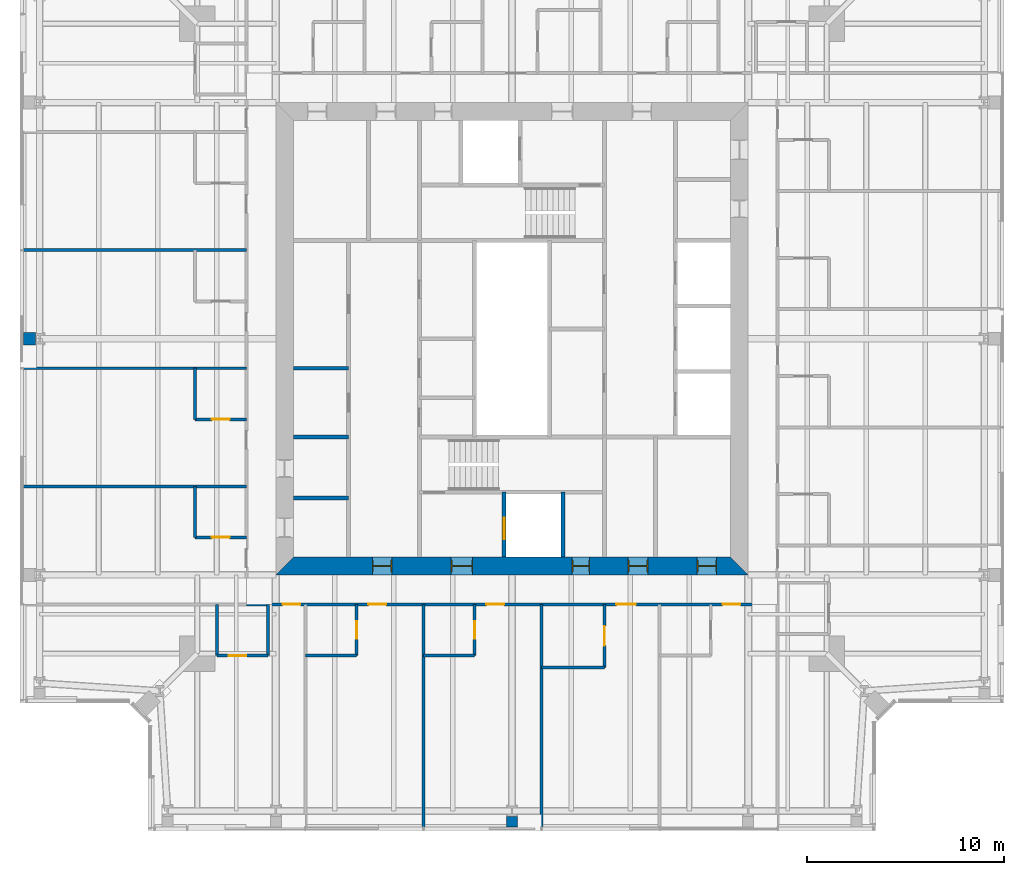
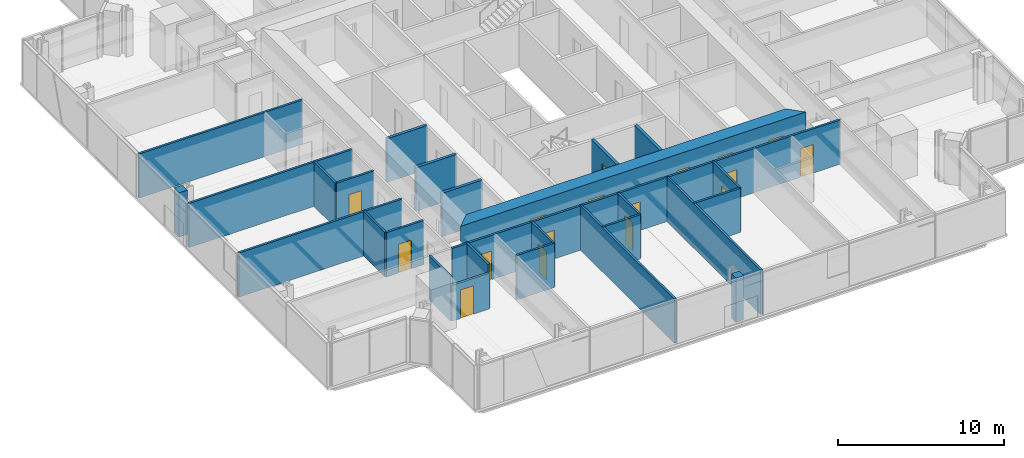
# One storey, part 11 of 20: 27 walls, 17 doors, 17 openings.
"""IFC4 building model written with IfcOpenShell, lengths in metres."""

from ifc_helpers import new_model, si_unit, direction, frame, frame_2d, origin, place, context, subcontext, project, spatial, polyline, rectangle, outline, extrude, material, layer, layer_set, type_object, element, fill, save


model = new_model("IFC4")

# Units and contexts
model_context = context("Model", 3, precision=1e-05, world=origin(), true_north=direction((0.0, 1.0)))
body_context = subcontext(model_context, "Body", "Model", "MODEL_VIEW")
ifc_project = project(units=[si_unit("LENGTHUNIT", "METRE"), si_unit("AREAUNIT", "SQUARE_METRE"), si_unit("VOLUMEUNIT", "CUBIC_METRE"), si_unit("PLANEANGLEUNIT", "RADIAN"), si_unit("MASSUNIT", "GRAM", prefix="KILO")], contexts=[model_context])

# Site, building, storey
site_placement = place(None, origin())
site = spatial("IfcSite", under=ifc_project, at=site_placement, CompositionType="ELEMENT")
building_placement = place(site_placement, origin())
building = spatial("IfcBuilding", under=site, at=building_placement, Name="Fenwick Lantern Interchange", CompositionType="ELEMENT")
storey_placement = place(building_placement, frame((0.0, 0.0, 249.199951171875)))
storey = spatial("IfcBuildingStorey", under=building, at=storey_placement, Name="L58", CompositionType="ELEMENT", Elevation=249.199951171875)

# Walls
ifc_material_1 = material(Name="Fire-rated gypsum board encasement on steel studs, 2 hour", Category="steel")
ifc_layer_1 = layer(ifc_material_1, 0.5419921875)
ifc_layer_set_1 = layer_set([ifc_layer_1], Name="COLUMN PIER 542")
wall_type_1 = type_object("IfcWallType", Name="COLUMN PIER 542", PredefinedType="PARTITIONING", material=ifc_layer_set_1)
wall_1_placement = place(storey_placement, frame((25.0, 0.18994140625, 0.0), z_axis=(0.0, 0.0, 1.0), x_axis=(0.0, 1.0, 0.0)))
element("IfcWall", 1, at=wall_1_placement, inside=storey, type_object=wall_type_1, Name="L58/W/PIER/CS3", PredefinedType="PARTITIONING", context=body_context, shape_type="SweptSolid", body=[
    extrude(rectangle(XDim=0.544677734375, YDim=0.5419921875, at=frame_2d((0.2724609375, 0.0))), origin(), (0.0, 0.0, 1.0), 3.25),
])
ifc_layer_2 = layer(ifc_material_1, 0.631103515625)
ifc_layer_set_2 = layer_set([ifc_layer_2], Name="COLUMN PIER 631")
wall_type_2 = type_object("IfcWallType", Name="COLUMN PIER 631", PredefinedType="PARTITIONING", material=ifc_layer_set_2)
wall_2_placement = place(storey_placement, frame((0.18994140625, 25.0, 0.0), z_axis=(0.0, 0.0, 1.0), x_axis=(1.0, 0.0, 0.0)))
element("IfcWall", 2, at=wall_2_placement, inside=storey, type_object=wall_type_2, Name="L58/W/PIER/CW3", PredefinedType="PARTITIONING", context=body_context, shape_type="SweptSolid", body=[
    extrude(rectangle(XDim=0.589111328125, YDim=0.631103515625, at=frame_2d((0.29443359375, 0.0))), origin(), (0.0, 0.0, 1.0), 3.25),
])

# Wall, opening, door
ifc_material_2 = material(Name="Concrete masonry ASTM C90 Grade N", Category="masonry")
ifc_layer_3 = layer(ifc_material_2, 0.199951171875)
ifc_layer_set_3 = layer_set([ifc_layer_3], Name="Concrete masonry ASTM C90 Grade N")
wall_type_3 = type_object("IfcWallType", Name="CORE PARTITION 200", PredefinedType="PARTITIONING", material=ifc_layer_set_3)
wall_3_placement = place(storey_placement, frame((24.60009765625, 13.89990234375, 0.0), z_axis=(0.0, 0.0, 1.0), x_axis=(0.0, 1.0, 0.0)))
wall_3 = element("IfcWall", 3, at=wall_3_placement, inside=storey, type_object=wall_type_3, Name="L58/W/CORES/h1", PredefinedType="PARTITIONING", context=body_context, shape_type="SweptSolid", body=[
    extrude(rectangle(XDim=3.300048828125, YDim=0.199951171875, at=frame_2d((1.64990234375, 0.0))), origin(), (0.0, 0.0, 1.0), 3.199951171875),
])
opening_1_placement = place(wall_3_placement, frame((0.89990234375, 0.0, 0.0)))
opening_1 = element("IfcOpeningElement", 4, at=opening_1_placement, cuts=wall_3, Name="Opening LD-FL1", PredefinedType="OPENING", context=body_context, shape_type="SweptSolid", body=[
    extrude(rectangle(XDim=1.10009765625, YDim=2.199951171875, at=frame_2d((0.550048828125, 1.10009765625))), frame((0.0, 0.10986328125, 0.0), z_axis=(0.0, -1.0, 0.0), x_axis=(1.0, 0.0, 0.0)), (0.0, 0.0, 1.0), 0.219970703125),
])
ifc_material_3 = material(Name="Steel door and frame", Category="steel")
door_type_1 = type_object("IfcDoorType", Name="LIFT LANDING DOOR 1100 X 2200", OperationType="DOUBLE_DOOR_SLIDING", PredefinedType="DOOR", material=ifc_material_3)
door_1_placement = place(opening_1_placement, origin())
door_1 = element("IfcDoor", 5, at=door_1_placement, inside=storey, type_object=door_type_1, Name="Lift landing door FL1", OperationType="DOUBLE_DOOR_SLIDING", OverallHeight=2.199951171875, OverallWidth=1.10009765625, PredefinedType="DOOR", context=body_context, shape_type="SweptSolid", body=[
    extrude(rectangle(XDim=1.10009765625, YDim=2.199951171875, at=frame_2d((0.550048828125, 1.10009765625))), frame((0.0, 0.02490234375, 0.0), z_axis=(0.0, -1.0, 0.0), x_axis=(1.0, 0.0, 0.0)), (0.0, 0.0, 1.0), 0.050048828125),
])
fill(opening_1, door_1)

# Walls
wall_4_placement = place(storey_placement, frame((27.60009765625, 13.89990234375, 0.0), z_axis=(0.0, 0.0, 1.0), x_axis=(0.0, 1.0, 0.0)))
element("IfcWall", 6, at=wall_4_placement, inside=storey, type_object=wall_type_3, Name="L58/W/CORES/h2", PredefinedType="PARTITIONING", context=body_context, shape_type="SweptSolid", body=[
    extrude(rectangle(XDim=3.300048828125, YDim=0.199951171875, at=frame_2d((1.64990234375, 0.0))), origin(), (0.0, 0.0, 1.0), 3.199951171875),
])
for number, where, z_axis, x_axis, name in (
    (7, (13.89990234375, 16.89990234375, 0.0), (0.0, 0.0, 1.0), (1.0, 0.0, 0.0), "L58/W/CORES/p1"),
    (8, (13.89990234375, 20.0, 0.0), (0.0, 0.0, 1.0), (1.0, 0.0, 0.0), "L58/W/CORES/p2"),
    (9, (13.89990234375, 23.5, 0.0), (0.0, 0.0, 1.0), (1.0, 0.0, 0.0), "L58/W/CORES/p3"),
):
    element("IfcWall", number, at=place(storey_placement, frame(where, z_axis=z_axis, x_axis=x_axis)), inside=storey, type_object=wall_type_3, Name=name, PredefinedType="PARTITIONING", context=body_context, shape_type="SweptSolid", body=[
        extrude(rectangle(XDim=2.800048828125, YDim=0.199951171875, at=frame_2d((1.39990234375, 0.0))), origin(), (0.0, 0.0, 1.0), 3.199951171875),
    ])

# Wall, openings, doors
ifc_material_4 = material(Name="Concrete f'c 70 MPa", Category="concrete")
ifc_layer_4 = layer(ifc_material_4, 0.89990234375)
ifc_layer_set_4 = layer_set([ifc_layer_4], Name="CORE WALL 900")
wall_type_4 = type_object("IfcWallType", Name="CORE WALL 900", PredefinedType="SHEAR", material=ifc_layer_set_4)
wall_5_placement = place(storey_placement, frame((13.0, 13.449951171875, 0.0), z_axis=(0.0, 0.0, 1.0), x_axis=(1.0, 0.0, 0.0)))
wall_5 = element("IfcWall", 10, at=wall_5_placement, inside=storey, type_object=wall_type_4, Name="L58/CORE/S", PredefinedType="SHEAR", context=body_context, shape_type="SweptSolid", body=[
    extrude(outline(polyline([(0.0, -0.449951171875), (24.0, -0.449951171875), (23.10009765625, 0.449951171875), (0.89990234375, 0.449951171875), (0.0, -0.449951171875)])), origin(), (0.0, 0.0, 1.0), 3.400146484375),
])
opening_2_placement = place(wall_5_placement, frame((4.89990234375, 0.0, 0.0)))
opening_2 = element("IfcOpeningElement", 11, at=opening_2_placement, cuts=wall_5, Name="Opening L58-D001", PredefinedType="OPENING", context=body_context, shape_type="SweptSolid", body=[
    extrude(rectangle(XDim=1.0, YDim=2.199951171875, at=frame_2d((0.5, 1.10009765625))), frame((0.0, 0.4599609375, 0.0), z_axis=(0.0, -1.0, 0.0), x_axis=(1.0, 0.0, 0.0)), (0.0, 0.0, 1.0), 0.919921875),
])
opening_3_placement = place(wall_5_placement, frame((8.89990234375, 0.0, 0.0)))
opening_3 = element("IfcOpeningElement", 12, at=opening_3_placement, cuts=wall_5, Name="Opening L58-D002", PredefinedType="OPENING", context=body_context, shape_type="SweptSolid", body=[
    extrude(rectangle(XDim=1.10009765625, YDim=2.199951171875, at=frame_2d((0.550048828125, 1.10009765625))), frame((0.0, 0.4599609375, 0.0), z_axis=(0.0, -1.0, 0.0), x_axis=(1.0, 0.0, 0.0)), (0.0, 0.0, 1.0), 0.919921875),
])
opening_4_placement = place(wall_5_placement, frame((15.050048828125, 0.0, 0.0)))
opening_4 = element("IfcOpeningElement", 13, at=opening_4_placement, cuts=wall_5, Name="Opening L58-D004", PredefinedType="OPENING", context=body_context, shape_type="SweptSolid", body=[
    extrude(rectangle(XDim=0.89990234375, YDim=2.199951171875, at=frame_2d((0.449951171875, 1.10009765625))), frame((0.0, 0.4599609375, 0.0), z_axis=(0.0, -1.0, 0.0), x_axis=(1.0, 0.0, 0.0)), (0.0, 0.0, 1.0), 0.919921875),
])
opening_5_placement = place(wall_5_placement, frame((17.89990234375, 0.0, 0.0)))
opening_5 = element("IfcOpeningElement", 14, at=opening_5_placement, cuts=wall_5, Name="Opening L58-D005", PredefinedType="OPENING", context=body_context, shape_type="SweptSolid", body=[
    extrude(rectangle(XDim=1.0, YDim=2.199951171875, at=frame_2d((0.5, 1.10009765625))), frame((0.0, 0.4599609375, 0.0), z_axis=(0.0, -1.0, 0.0), x_axis=(1.0, 0.0, 0.0)), (0.0, 0.0, 1.0), 0.919921875),
])
opening_6_placement = place(wall_5_placement, frame((21.39990234375, 0.0, 0.0)))
opening_6 = element("IfcOpeningElement", 15, at=opening_6_placement, cuts=wall_5, Name="Opening L58-D006", PredefinedType="OPENING", context=body_context, shape_type="SweptSolid", body=[
    extrude(rectangle(XDim=1.0, YDim=2.199951171875, at=frame_2d((0.5, 1.10009765625))), frame((0.0, 0.4599609375, 0.0), z_axis=(0.0, -1.0, 0.0), x_axis=(1.0, 0.0, 0.0)), (0.0, 0.0, 1.0), 0.919921875),
])
door_type_2 = type_object("IfcDoorType", Name="CORE LOBBY DOOR 1000 X 2200", OperationType="SINGLE_SWING_LEFT", PredefinedType="DOOR", material=ifc_material_3)
door_2_placement = place(opening_2_placement, origin())
door_2 = element("IfcDoor", 16, at=door_2_placement, inside=storey, type_object=door_type_2, Name="Core lobby door", OperationType="SINGLE_SWING_LEFT", OverallHeight=2.199951171875, OverallWidth=1.0, PredefinedType="DOOR", context=body_context, shape_type="SweptSolid", body=[
    extrude(rectangle(XDim=1.0, YDim=2.199951171875, at=frame_2d((0.5, 1.10009765625))), frame((0.0, 0.02490234375, 0.0), z_axis=(0.0, -1.0, 0.0), x_axis=(1.0, 0.0, 0.0)), (0.0, 0.0, 1.0), 0.050048828125),
    extrude(outline(polyline([(0.0, 0.0), (0.0400390625, 0.0), (0.0400390625, 2.159912109375), (0.9599609375, 2.159912109375), (0.9599609375, 0.0), (1.0, 0.0), (1.0, 2.199951171875), (0.0, 2.199951171875), (0.0, 0.0)])), frame((0.0, 0.300048828125, 0.0), z_axis=(0.0, -1.0, 0.0), x_axis=(1.0, 0.0, 0.0)), (0.0, 0.0, 1.0), 0.60009765625),
])
fill(opening_2, door_2)
door_type_3 = type_object("IfcDoorType", Name="FIRE LOBBY DOOR 1100 X 2200", OperationType="SINGLE_SWING_LEFT", PredefinedType="DOOR", material=ifc_material_3)
door_3_placement = place(opening_3_placement, origin())
door_3 = element("IfcDoor", 17, at=door_3_placement, inside=storey, type_object=door_type_3, Name="Fire lobby door", OperationType="SINGLE_SWING_LEFT", OverallHeight=2.199951171875, OverallWidth=1.10009765625, PredefinedType="DOOR", context=body_context, shape_type="SweptSolid", body=[
    extrude(rectangle(XDim=1.10009765625, YDim=2.199951171875, at=frame_2d((0.550048828125, 1.10009765625))), frame((0.0, 0.02490234375, 0.0), z_axis=(0.0, -1.0, 0.0), x_axis=(1.0, 0.0, 0.0)), (0.0, 0.0, 1.0), 0.050048828125),
    extrude(outline(polyline([(0.0, 0.0), (0.0400390625, 0.0), (0.0400390625, 2.159912109375), (1.06005859375, 2.159912109375), (1.06005859375, 0.0), (1.10009765625, 0.0), (1.10009765625, 2.199951171875), (0.0, 2.199951171875), (0.0, 0.0)])), frame((0.0, 0.300048828125, 0.0), z_axis=(0.0, -1.0, 0.0), x_axis=(1.0, 0.0, 0.0)), (0.0, 0.0, 1.0), 0.60009765625),
])
fill(opening_3, door_3)
door_type_4 = type_object("IfcDoorType", Name="SERVICE DOOR 900 X 2200", OperationType="SINGLE_SWING_LEFT", PredefinedType="DOOR", material=ifc_material_3)
door_4_placement = place(opening_4_placement, origin())
door_4 = element("IfcDoor", 18, at=door_4_placement, inside=storey, type_object=door_type_4, Name="Service door", OperationType="SINGLE_SWING_LEFT", OverallHeight=2.199951171875, OverallWidth=0.89990234375, PredefinedType="DOOR", context=body_context, shape_type="SweptSolid", body=[
    extrude(rectangle(XDim=0.89990234375, YDim=2.199951171875, at=frame_2d((0.449951171875, 1.10009765625))), frame((0.0, 0.02490234375, 0.0), z_axis=(0.0, -1.0, 0.0), x_axis=(1.0, 0.0, 0.0)), (0.0, 0.0, 1.0), 0.050048828125),
    extrude(outline(polyline([(0.0, 0.0), (0.0400390625, 0.0), (0.0400390625, 2.159912109375), (0.85986328125, 2.159912109375), (0.85986328125, 0.0), (0.89990234375, 0.0), (0.89990234375, 2.199951171875), (0.0, 2.199951171875), (0.0, 0.0)])), frame((0.0, 0.300048828125, 0.0), z_axis=(0.0, -1.0, 0.0), x_axis=(1.0, 0.0, 0.0)), (0.0, 0.0, 1.0), 0.60009765625),
])
fill(opening_4, door_4)
ifc_material_5 = material(Name="Hardwood door and steel frame", Category="steel")
door_type_5 = type_object("IfcDoorType", Name="WC DOOR 1000 X 2200", OperationType="SINGLE_SWING_LEFT", PredefinedType="DOOR", material=ifc_material_5)
door_5_placement = place(opening_5_placement, origin())
door_5 = element("IfcDoor", 19, at=door_5_placement, inside=storey, type_object=door_type_5, Name="Wc door", OperationType="SINGLE_SWING_RIGHT", OverallHeight=2.199951171875, OverallWidth=1.0, PredefinedType="DOOR", context=body_context, shape_type="SweptSolid", body=[
    extrude(rectangle(XDim=1.0, YDim=2.199951171875, at=frame_2d((0.5, 1.10009765625))), frame((0.0, 0.02490234375, 0.0), z_axis=(0.0, -1.0, 0.0), x_axis=(1.0, 0.0, 0.0)), (0.0, 0.0, 1.0), 0.050048828125),
    extrude(outline(polyline([(0.0, 0.0), (0.0400390625, 0.0), (0.0400390625, 2.159912109375), (0.9599609375, 2.159912109375), (0.9599609375, 0.0), (1.0, 0.0), (1.0, 2.199951171875), (0.0, 2.199951171875), (0.0, 0.0)])), frame((0.0, 0.300048828125, 0.0), z_axis=(0.0, -1.0, 0.0), x_axis=(1.0, 0.0, 0.0)), (0.0, 0.0, 1.0), 0.60009765625),
])
fill(opening_5, door_5)
door_6_placement = place(opening_6_placement, origin())
door_6 = element("IfcDoor", 20, at=door_6_placement, inside=storey, type_object=door_type_5, Name="Wc door", OperationType="SINGLE_SWING_RIGHT", OverallHeight=2.199951171875, OverallWidth=1.0, PredefinedType="DOOR", context=body_context, shape_type="SweptSolid", body=[
    extrude(rectangle(XDim=1.0, YDim=2.199951171875, at=frame_2d((0.5, 1.10009765625))), frame((0.0, 0.02490234375, 0.0), z_axis=(0.0, -1.0, 0.0), x_axis=(1.0, 0.0, 0.0)), (0.0, 0.0, 1.0), 0.050048828125),
    extrude(outline(polyline([(0.0, 0.0), (0.0400390625, 0.0), (0.0400390625, 2.159912109375), (0.9599609375, 2.159912109375), (0.9599609375, 0.0), (1.0, 0.0), (1.0, 2.199951171875), (0.0, 2.199951171875), (0.0, 0.0)])), frame((0.0, 0.300048828125, 0.0), z_axis=(0.0, -1.0, 0.0), x_axis=(1.0, 0.0, 0.0)), (0.0, 0.0, 1.0), 0.60009765625),
])
fill(opening_6, door_6)

ifc_material_6 = material(Name="Gypsum board on steel studs, 1 hour", Category="steel")
ifc_layer_5 = layer(ifc_material_6, 0.14990234375)
ifc_layer_set_5 = layer_set([ifc_layer_5], Name="CORRIDOR WALL 150")
wall_type_5 = type_object("IfcWallType", Name="CORRIDOR WALL 150", PredefinedType="PARTITIONING", material=ifc_layer_set_5)
wall_6_placement = place(storey_placement, frame((11.5, 11.5, 0.0), z_axis=(0.0, 0.0, 1.0), x_axis=(1.0, 0.0, 0.0)))
wall_6 = element("IfcWall", 21, at=wall_6_placement, inside=storey, type_object=wall_type_5, Name="L58/W/HOTEL/S/CW", PredefinedType="PARTITIONING", context=body_context, shape_type="SweptSolid", body=[
    extrude(rectangle(XDim=27.0, YDim=0.14990234375, at=frame_2d((13.5, 0.0))), origin(), (0.0, 0.0, 1.0), 3.25),
])
opening_7_placement = place(wall_6_placement, frame((1.85009765625, 0.0, 0.0)))
opening_7 = element("IfcOpeningElement", 22, at=opening_7_placement, cuts=wall_6, Name="Opening L58-D024", PredefinedType="OPENING", context=body_context, shape_type="SweptSolid", body=[
    extrude(rectangle(XDim=0.89990234375, YDim=2.10009765625, at=frame_2d((0.449951171875, 1.050048828125))), frame((0.0, 0.0849609375, 0.0), z_axis=(0.0, -1.0, 0.0), x_axis=(1.0, 0.0, 0.0)), (0.0, 0.0, 1.0), 0.169921875),
])
opening_8_placement = place(wall_6_placement, frame((6.199951171875, 0.0, 0.0)))
opening_8 = element("IfcOpeningElement", 23, at=opening_8_placement, cuts=wall_6, Name="Opening L58-D027", PredefinedType="OPENING", context=body_context, shape_type="SweptSolid", body=[
    extrude(rectangle(XDim=0.89990234375, YDim=2.10009765625, at=frame_2d((0.449951171875, 1.050048828125))), frame((0.0, 0.0849609375, 0.0), z_axis=(0.0, -1.0, 0.0), x_axis=(1.0, 0.0, 0.0)), (0.0, 0.0, 1.0), 0.169921875),
])
opening_9_placement = place(wall_6_placement, frame((12.199951171875, 0.0, 0.0)))
opening_9 = element("IfcOpeningElement", 24, at=opening_9_placement, cuts=wall_6, Name="Opening L58-D029", PredefinedType="OPENING", context=body_context, shape_type="SweptSolid", body=[
    extrude(rectangle(XDim=0.89990234375, YDim=2.10009765625, at=frame_2d((0.449951171875, 1.050048828125))), frame((0.0, 0.0849609375, 0.0), z_axis=(0.0, -1.0, 0.0), x_axis=(1.0, 0.0, 0.0)), (0.0, 0.0, 1.0), 0.169921875),
])
opening_10_placement = place(wall_6_placement, frame((18.800048828125, 0.0, 0.0)))
opening_10 = element("IfcOpeningElement", 25, at=opening_10_placement, cuts=wall_6, Name="Opening L58-D031", PredefinedType="OPENING", context=body_context, shape_type="SweptSolid", body=[
    extrude(rectangle(XDim=1.0, YDim=2.10009765625, at=frame_2d((0.5, 1.050048828125))), frame((0.0, 0.0849609375, 0.0), z_axis=(0.0, -1.0, 0.0), x_axis=(1.0, 0.0, 0.0)), (0.0, 0.0, 1.0), 0.169921875),
])
opening_11_placement = place(wall_6_placement, frame((24.199951171875, 0.0, 0.0)))
opening_11 = element("IfcOpeningElement", 26, at=opening_11_placement, cuts=wall_6, Name="Opening L58-D033", PredefinedType="OPENING", context=body_context, shape_type="SweptSolid", body=[
    extrude(rectangle(XDim=0.89990234375, YDim=2.10009765625, at=frame_2d((0.449951171875, 1.050048828125))), frame((0.0, 0.0849609375, 0.0), z_axis=(0.0, -1.0, 0.0), x_axis=(1.0, 0.0, 0.0)), (0.0, 0.0, 1.0), 0.169921875),
])
door_type_6 = type_object("IfcDoorType", Name="GUEST ROOM DOOR 1000 X 2100", OperationType="SINGLE_SWING_LEFT", PredefinedType="DOOR", material=ifc_material_3)
door_7_placement = place(opening_10_placement, frame((1.0, 0.0, 0.0), z_axis=(0.0, 0.0, 1.0), x_axis=(-1.0, 0.0, 0.0)))
door_7 = element("IfcDoor", 27, at=door_7_placement, inside=storey, type_object=door_type_6, Name="Guest room door", OperationType="SINGLE_SWING_RIGHT", OverallHeight=2.10009765625, OverallWidth=1.0, PredefinedType="DOOR", context=body_context, shape_type="SweptSolid", body=[
    extrude(rectangle(XDim=1.0, YDim=2.10009765625, at=frame_2d((0.5, 1.050048828125))), frame((0.0, 0.02490234375, 0.0), z_axis=(0.0, -1.0, 0.0), x_axis=(1.0, 0.0, 0.0)), (0.0, 0.0, 1.0), 0.050048828125),
])
fill(opening_10, door_7)
door_type_7 = type_object("IfcDoorType", Name="GUEST ROOM DOOR 900 X 2100", OperationType="SINGLE_SWING_LEFT", PredefinedType="DOOR", material=ifc_material_3)
door_8_placement = place(opening_7_placement, frame((0.89990234375, 0.0, 0.0), z_axis=(0.0, 0.0, 1.0), x_axis=(-1.0, 0.0, 0.0)))
door_8 = element("IfcDoor", 28, at=door_8_placement, inside=storey, type_object=door_type_7, Name="Guest room door", OperationType="SINGLE_SWING_LEFT", OverallHeight=2.10009765625, OverallWidth=0.89990234375, PredefinedType="DOOR", context=body_context, shape_type="SweptSolid", body=[
    extrude(rectangle(XDim=0.89990234375, YDim=2.10009765625, at=frame_2d((0.449951171875, 1.050048828125))), frame((0.0, 0.02490234375, 0.0), z_axis=(0.0, -1.0, 0.0), x_axis=(1.0, 0.0, 0.0)), (0.0, 0.0, 1.0), 0.050048828125),
])
fill(opening_7, door_8)
door_9_placement = place(opening_8_placement, frame((0.89990234375, 0.0, 0.0), z_axis=(0.0, 0.0, 1.0), x_axis=(-1.0, 0.0, 0.0)))
door_9 = element("IfcDoor", 29, at=door_9_placement, inside=storey, type_object=door_type_7, Name="Guest room door", OperationType="SINGLE_SWING_RIGHT", OverallHeight=2.10009765625, OverallWidth=0.89990234375, PredefinedType="DOOR", context=body_context, shape_type="SweptSolid", body=[
    extrude(rectangle(XDim=0.89990234375, YDim=2.10009765625, at=frame_2d((0.449951171875, 1.050048828125))), frame((0.0, 0.02490234375, 0.0), z_axis=(0.0, -1.0, 0.0), x_axis=(1.0, 0.0, 0.0)), (0.0, 0.0, 1.0), 0.050048828125),
])
fill(opening_8, door_9)
door_10_placement = place(opening_9_placement, frame((0.89990234375, 0.0, 0.0), z_axis=(0.0, 0.0, 1.0), x_axis=(-1.0, 0.0, 0.0)))
door_10 = element("IfcDoor", 30, at=door_10_placement, inside=storey, type_object=door_type_7, Name="Guest room door", OperationType="SINGLE_SWING_RIGHT", OverallHeight=2.10009765625, OverallWidth=0.89990234375, PredefinedType="DOOR", context=body_context, shape_type="SweptSolid", body=[
    extrude(rectangle(XDim=0.89990234375, YDim=2.10009765625, at=frame_2d((0.449951171875, 1.050048828125))), frame((0.0, 0.02490234375, 0.0), z_axis=(0.0, -1.0, 0.0), x_axis=(1.0, 0.0, 0.0)), (0.0, 0.0, 1.0), 0.050048828125),
])
fill(opening_9, door_10)
door_11_placement = place(opening_11_placement, frame((0.89990234375, 0.0, 0.0), z_axis=(0.0, 0.0, 1.0), x_axis=(-1.0, 0.0, 0.0)))
door_11 = element("IfcDoor", 31, at=door_11_placement, inside=storey, type_object=door_type_7, Name="Guest room door", OperationType="SINGLE_SWING_RIGHT", OverallHeight=2.10009765625, OverallWidth=0.89990234375, PredefinedType="DOOR", context=body_context, shape_type="SweptSolid", body=[
    extrude(rectangle(XDim=0.89990234375, YDim=2.10009765625, at=frame_2d((0.449951171875, 1.050048828125))), frame((0.0, 0.02490234375, 0.0), z_axis=(0.0, -1.0, 0.0), x_axis=(1.0, 0.0, 0.0)), (0.0, 0.0, 1.0), 0.050048828125),
])
fill(opening_11, door_11)

# Wall, opening, door
ifc_material_7 = material(Name="Gypsum board on steel studs, moisture resistant", Category="steel")
ifc_layer_6 = layer(ifc_material_7, 0.14990234375)
ifc_layer_set_6 = layer_set([ifc_layer_6], Name="EN-SUITE WALL 150")
wall_type_6 = type_object("IfcWallType", Name="EN-SUITE WALL 150", PredefinedType="PARTITIONING", material=ifc_layer_set_6)
wall_7_placement = place(storey_placement, frame((10.0, 8.89990234375, 0.0), z_axis=(0.0, 0.0, 1.0), x_axis=(1.0, 0.0, 0.0)))
wall_7 = element("IfcWall", 32, at=wall_7_placement, inside=storey, type_object=wall_type_6, Name="L58/W/HOTEL/S/U1BW", PredefinedType="PARTITIONING", context=body_context, shape_type="SweptSolid", body=[
    extrude(rectangle(XDim=2.60009765625, YDim=0.14990234375, at=frame_2d((1.300048828125, 0.0))), origin(), (0.0, 0.0, 1.0), 2.637939453125),
])
opening_12_placement = place(wall_7_placement, frame((0.60009765625, 0.0, 0.0)))
opening_12 = element("IfcOpeningElement", 33, at=opening_12_placement, cuts=wall_7, Name="Opening L58-D025", PredefinedType="OPENING", context=body_context, shape_type="SweptSolid", body=[
    extrude(rectangle(XDim=0.89990234375, YDim=2.10009765625, at=frame_2d((0.449951171875, 1.050048828125))), frame((0.0, 0.0849609375, 0.0), z_axis=(0.0, -1.0, 0.0), x_axis=(1.0, 0.0, 0.0)), (0.0, 0.0, 1.0), 0.169921875),
])
door_type_8 = type_object("IfcDoorType", Name="EN-SUITE DOOR 900 X 2100", OperationType="SINGLE_SWING_LEFT", PredefinedType="DOOR", material=ifc_material_5)
door_12_placement = place(opening_12_placement, origin())
door_12 = element("IfcDoor", 34, at=door_12_placement, inside=storey, type_object=door_type_8, Name="En-suite door", OperationType="SINGLE_SWING_LEFT", OverallHeight=2.10009765625, OverallWidth=0.89990234375, PredefinedType="DOOR", context=body_context, shape_type="SweptSolid", body=[
    extrude(rectangle(XDim=0.89990234375, YDim=2.10009765625, at=frame_2d((0.449951171875, 1.050048828125))), frame((0.0, 0.02490234375, 0.0), z_axis=(0.0, -1.0, 0.0), x_axis=(1.0, 0.0, 0.0)), (0.0, 0.0, 1.0), 0.050048828125),
])
fill(opening_12, door_12)

# Walls
for number, where, z_axis, x_axis, name in (
    (35, (10.0, 8.89990234375, 0.0), (0.0, 0.0, 1.0), (0.0, 1.0, 0.0), "L58/W/HOTEL/S/U1BX"),
    (36, (12.60009765625, 8.89990234375, 0.0), (0.0, 0.0, 1.0), (0.0, 1.0, 0.0), "L58/W/HOTEL/S/U1BE"),
    (37, (14.5, 8.89990234375, 0.0), (0.0, 0.0, 1.0), (1.0, 0.0, 0.0), "L58/W/HOTEL/S/U2BW"),
):
    element("IfcWall", number, at=place(storey_placement, frame(where, z_axis=z_axis, x_axis=x_axis)), inside=storey, type_object=wall_type_6, Name=name, PredefinedType="PARTITIONING", context=body_context, shape_type="SweptSolid", body=[
        extrude(rectangle(XDim=2.60009765625, YDim=0.14990234375, at=frame_2d((1.300048828125, 0.0))), origin(), (0.0, 0.0, 1.0), 3.25),
    ])

# Wall, opening, door
wall_8_placement = place(storey_placement, frame((17.10009765625, 8.89990234375, 0.0), z_axis=(0.0, 0.0, 1.0), x_axis=(0.0, 1.0, 0.0)))
wall_8 = element("IfcWall", 38, at=wall_8_placement, inside=storey, type_object=wall_type_6, Name="L58/W/HOTEL/S/U2BX", PredefinedType="PARTITIONING", context=body_context, shape_type="SweptSolid", body=[
    extrude(rectangle(XDim=2.60009765625, YDim=0.14990234375, at=frame_2d((1.300048828125, 0.0))), origin(), (0.0, 0.0, 1.0), 3.25),
])
opening_13_placement = place(wall_8_placement, frame((0.85009765625, 0.0, 0.0)))
opening_13 = element("IfcOpeningElement", 39, at=opening_13_placement, cuts=wall_8, Name="Opening L58-D026", PredefinedType="OPENING", context=body_context, shape_type="SweptSolid", body=[
    extrude(rectangle(XDim=0.89990234375, YDim=2.10009765625, at=frame_2d((0.449951171875, 1.050048828125))), frame((0.0, 0.0849609375, 0.0), z_axis=(0.0, -1.0, 0.0), x_axis=(1.0, 0.0, 0.0)), (0.0, 0.0, 1.0), 0.169921875),
])
door_13_placement = place(opening_13_placement, origin())
door_13 = element("IfcDoor", 40, at=door_13_placement, inside=storey, type_object=door_type_8, Name="En-suite door", OperationType="SINGLE_SWING_LEFT", OverallHeight=2.10009765625, OverallWidth=0.89990234375, PredefinedType="DOOR", context=body_context, shape_type="SweptSolid", body=[
    extrude(rectangle(XDim=0.89990234375, YDim=2.10009765625, at=frame_2d((0.449951171875, 1.050048828125))), frame((0.0, 0.02490234375, 0.0), z_axis=(0.0, -1.0, 0.0), x_axis=(1.0, 0.0, 0.0)), (0.0, 0.0, 1.0), 0.050048828125),
])
fill(opening_13, door_13)

# Wall
wall_9_placement = place(storey_placement, frame((20.5, 8.89990234375, 0.0), z_axis=(0.0, 0.0, 1.0), x_axis=(1.0, 0.0, 0.0)))
element("IfcWall", 41, at=wall_9_placement, inside=storey, type_object=wall_type_6, Name="L58/W/HOTEL/S/U3BW", PredefinedType="PARTITIONING", context=body_context, shape_type="SweptSolid", body=[
    extrude(rectangle(XDim=2.60009765625, YDim=0.14990234375, at=frame_2d((1.300048828125, 0.0))), origin(), (0.0, 0.0, 1.0), 3.25),
])

# Wall, opening, door
wall_10_placement = place(storey_placement, frame((23.10009765625, 8.89990234375, 0.0), z_axis=(0.0, 0.0, 1.0), x_axis=(0.0, 1.0, 0.0)))
wall_10 = element("IfcWall", 42, at=wall_10_placement, inside=storey, type_object=wall_type_6, Name="L58/W/HOTEL/S/U3BX", PredefinedType="PARTITIONING", context=body_context, shape_type="SweptSolid", body=[
    extrude(rectangle(XDim=2.60009765625, YDim=0.14990234375, at=frame_2d((1.300048828125, 0.0))), origin(), (0.0, 0.0, 1.0), 3.25),
])
opening_14_placement = place(wall_10_placement, frame((0.85009765625, 0.0, 0.0)))
opening_14 = element("IfcOpeningElement", 43, at=opening_14_placement, cuts=wall_10, Name="Opening L58-D028", PredefinedType="OPENING", context=body_context, shape_type="SweptSolid", body=[
    extrude(rectangle(XDim=0.89990234375, YDim=2.10009765625, at=frame_2d((0.449951171875, 1.050048828125))), frame((0.0, 0.0849609375, 0.0), z_axis=(0.0, -1.0, 0.0), x_axis=(1.0, 0.0, 0.0)), (0.0, 0.0, 1.0), 0.169921875),
])
door_14_placement = place(opening_14_placement, origin())
door_14 = element("IfcDoor", 44, at=door_14_placement, inside=storey, type_object=door_type_8, Name="En-suite door", OperationType="SINGLE_SWING_LEFT", OverallHeight=2.10009765625, OverallWidth=0.89990234375, PredefinedType="DOOR", context=body_context, shape_type="SweptSolid", body=[
    extrude(rectangle(XDim=0.89990234375, YDim=2.10009765625, at=frame_2d((0.449951171875, 1.050048828125))), frame((0.0, 0.02490234375, 0.0), z_axis=(0.0, -1.0, 0.0), x_axis=(1.0, 0.0, 0.0)), (0.0, 0.0, 1.0), 0.050048828125),
])
fill(opening_14, door_14)

# Wall
wall_11_placement = place(storey_placement, frame((26.5, 8.300048828125, 0.0), z_axis=(0.0, 0.0, 1.0), x_axis=(1.0, 0.0, 0.0)))
element("IfcWall", 45, at=wall_11_placement, inside=storey, type_object=wall_type_6, Name="L58/W/HOTEL/S/U4BW", PredefinedType="PARTITIONING", context=body_context, shape_type="SweptSolid", body=[
    extrude(rectangle(XDim=3.199951171875, YDim=0.14990234375, at=frame_2d((1.60009765625, 0.0))), origin(), (0.0, 0.0, 1.0), 3.25),
])

# Wall, opening, door
wall_12_placement = place(storey_placement, frame((29.699951171875, 8.300048828125, 0.0), z_axis=(0.0, 0.0, 1.0), x_axis=(0.0, 1.0, 0.0)))
wall_12 = element("IfcWall", 46, at=wall_12_placement, inside=storey, type_object=wall_type_6, Name="L58/W/HOTEL/S/U4BX", PredefinedType="PARTITIONING", context=body_context, shape_type="SweptSolid", body=[
    extrude(rectangle(XDim=3.199951171875, YDim=0.14990234375, at=frame_2d((1.60009765625, 0.0))), origin(), (0.0, 0.0, 1.0), 3.25),
])
opening_15_placement = place(wall_12_placement, frame((1.10009765625, 0.0, 0.0)))
opening_15 = element("IfcOpeningElement", 47, at=opening_15_placement, cuts=wall_12, Name="Opening L58-D030", PredefinedType="OPENING", context=body_context, shape_type="SweptSolid", body=[
    extrude(rectangle(XDim=1.0, YDim=2.10009765625, at=frame_2d((0.5, 1.050048828125))), frame((0.0, 0.0849609375, 0.0), z_axis=(0.0, -1.0, 0.0), x_axis=(1.0, 0.0, 0.0)), (0.0, 0.0, 1.0), 0.169921875),
])
door_type_9 = type_object("IfcDoorType", Name="EN-SUITE DOOR 1000 X 2100", OperationType="SINGLE_SWING_LEFT", PredefinedType="DOOR", material=ifc_material_5)
door_15_placement = place(opening_15_placement, origin())
door_15 = element("IfcDoor", 48, at=door_15_placement, inside=storey, type_object=door_type_9, Name="En-suite door", OperationType="SINGLE_SWING_LEFT", OverallHeight=2.10009765625, OverallWidth=1.0, PredefinedType="DOOR", context=body_context, shape_type="SweptSolid", body=[
    extrude(rectangle(XDim=1.0, YDim=2.10009765625, at=frame_2d((0.5, 1.050048828125))), frame((0.0, 0.02490234375, 0.0), z_axis=(0.0, -1.0, 0.0), x_axis=(1.0, 0.0, 0.0)), (0.0, 0.0, 1.0), 0.050048828125),
])
fill(opening_15, door_15)

# Wall
wall_13_placement = place(storey_placement, frame((8.89990234375, 23.5, 0.0), z_axis=(0.0, 0.0, 1.0), x_axis=(0.0, -1.0, 0.0)))
element("IfcWall", 49, at=wall_13_placement, inside=storey, type_object=wall_type_6, Name="L58/W/HOTEL/W/U4BW", PredefinedType="PARTITIONING", context=body_context, shape_type="SweptSolid", body=[
    extrude(rectangle(XDim=2.60009765625, YDim=0.14990234375, at=frame_2d((1.300048828125, 0.0))), origin(), (0.0, 0.0, 1.0), 3.25),
])

# Wall, opening, door
wall_14_placement = place(storey_placement, frame((8.89990234375, 20.89990234375, 0.0), z_axis=(0.0, 0.0, 1.0), x_axis=(1.0, 0.0, 0.0)))
wall_14 = element("IfcWall", 50, at=wall_14_placement, inside=storey, type_object=wall_type_6, Name="L58/W/HOTEL/W/U4BX", PredefinedType="PARTITIONING", context=body_context, shape_type="SweptSolid", body=[
    extrude(rectangle(XDim=2.60009765625, YDim=0.14990234375, at=frame_2d((1.300048828125, 0.0))), origin(), (0.0, 0.0, 1.0), 3.25),
])
opening_16_placement = place(wall_14_placement, frame((0.85009765625, 0.0, 0.0)))
opening_16 = element("IfcOpeningElement", 51, at=opening_16_placement, cuts=wall_14, Name="Opening L58-D060", PredefinedType="OPENING", context=body_context, shape_type="SweptSolid", body=[
    extrude(rectangle(XDim=0.89990234375, YDim=2.10009765625, at=frame_2d((0.449951171875, 1.050048828125))), frame((0.0, 0.0849609375, 0.0), z_axis=(0.0, -1.0, 0.0), x_axis=(1.0, 0.0, 0.0)), (0.0, 0.0, 1.0), 0.169921875),
])
door_16_placement = place(opening_16_placement, origin())
door_16 = element("IfcDoor", 52, at=door_16_placement, inside=storey, type_object=door_type_8, Name="En-suite door", OperationType="SINGLE_SWING_LEFT", OverallHeight=2.10009765625, OverallWidth=0.89990234375, PredefinedType="DOOR", context=body_context, shape_type="SweptSolid", body=[
    extrude(rectangle(XDim=0.89990234375, YDim=2.10009765625, at=frame_2d((0.449951171875, 1.050048828125))), frame((0.0, 0.02490234375, 0.0), z_axis=(0.0, -1.0, 0.0), x_axis=(1.0, 0.0, 0.0)), (0.0, 0.0, 1.0), 0.050048828125),
])
fill(opening_16, door_16)

# Wall
wall_15_placement = place(storey_placement, frame((8.89990234375, 17.5, 0.0), z_axis=(0.0, 0.0, 1.0), x_axis=(0.0, -1.0, 0.0)))
element("IfcWall", 53, at=wall_15_placement, inside=storey, type_object=wall_type_6, Name="L58/W/HOTEL/W/U5BW", PredefinedType="PARTITIONING", context=body_context, shape_type="SweptSolid", body=[
    extrude(rectangle(XDim=2.60009765625, YDim=0.14990234375, at=frame_2d((1.300048828125, 0.0))), origin(), (0.0, 0.0, 1.0), 3.25),
])

# Wall, opening, door
wall_16_placement = place(storey_placement, frame((8.89990234375, 14.89990234375, 0.0), z_axis=(0.0, 0.0, 1.0), x_axis=(1.0, 0.0, 0.0)))
wall_16 = element("IfcWall", 54, at=wall_16_placement, inside=storey, type_object=wall_type_6, Name="L58/W/HOTEL/W/U5BX", PredefinedType="PARTITIONING", context=body_context, shape_type="SweptSolid", body=[
    extrude(rectangle(XDim=2.60009765625, YDim=0.14990234375, at=frame_2d((1.300048828125, 0.0))), origin(), (0.0, 0.0, 1.0), 3.25),
])
opening_17_placement = place(wall_16_placement, frame((0.85009765625, 0.0, 0.0)))
opening_17 = element("IfcOpeningElement", 55, at=opening_17_placement, cuts=wall_16, Name="Opening L58-D062", PredefinedType="OPENING", context=body_context, shape_type="SweptSolid", body=[
    extrude(rectangle(XDim=0.89990234375, YDim=2.10009765625, at=frame_2d((0.449951171875, 1.050048828125))), frame((0.0, 0.0849609375, 0.0), z_axis=(0.0, -1.0, 0.0), x_axis=(1.0, 0.0, 0.0)), (0.0, 0.0, 1.0), 0.169921875),
])
door_17_placement = place(opening_17_placement, origin())
door_17 = element("IfcDoor", 56, at=door_17_placement, inside=storey, type_object=door_type_8, Name="En-suite door", OperationType="SINGLE_SWING_LEFT", OverallHeight=2.10009765625, OverallWidth=0.89990234375, PredefinedType="DOOR", context=body_context, shape_type="SweptSolid", body=[
    extrude(rectangle(XDim=0.89990234375, YDim=2.10009765625, at=frame_2d((0.449951171875, 1.050048828125))), frame((0.0, 0.02490234375, 0.0), z_axis=(0.0, -1.0, 0.0), x_axis=(1.0, 0.0, 0.0)), (0.0, 0.0, 1.0), 0.050048828125),
])
fill(opening_17, door_17)

# Walls
ifc_material_8 = material(Name="Gypsum board on steel studs, 1 hour acoustic", Category="steel")
ifc_layer_7 = layer(ifc_material_8, 0.14990234375)
ifc_layer_set_7 = layer_set([ifc_layer_7], Name="PARTY WALL 150")
wall_type_7 = type_object("IfcWallType", Name="PARTY WALL 150", PredefinedType="PARTITIONING", material=ifc_layer_set_7)
for number, where, z_axis, x_axis, name in (
    (57, (20.5, 0.14990234375, 0.0), (0.0, 0.0, 1.0), (0.0, 1.0, 0.0), "L58/W/HOTEL/S/U3PW"),
    (58, (26.5, 0.14990234375, 0.0), (0.0, 0.0, 1.0), (0.0, 1.0, 0.0), "L58/W/HOTEL/S/U4PW"),
    (59, (0.14990234375, 29.5, 0.0), (0.0, 0.0, 1.0), (1.0, 0.0, 0.0), "L58/W/HOTEL/W/U3PW"),
    (60, (0.14990234375, 23.5, 0.0), (0.0, 0.0, 1.0), (1.0, 0.0, 0.0), "L58/W/HOTEL/W/U4PW"),
    (61, (0.14990234375, 17.5, 0.0), (0.0, 0.0, 1.0), (1.0, 0.0, 0.0), "L58/W/HOTEL/W/U5PW"),
):
    element("IfcWall", number, at=place(storey_placement, frame(where, z_axis=z_axis, x_axis=x_axis)), inside=storey, type_object=wall_type_7, Name=name, PredefinedType="PARTITIONING", context=body_context, shape_type="SweptSolid", body=[
        extrude(rectangle(XDim=11.35009765625, YDim=0.14990234375, at=frame_2d((5.675048828125, 0.0))), origin(), (0.0, 0.0, 1.0), 3.25),
    ])

save(model, "model.ifc")
